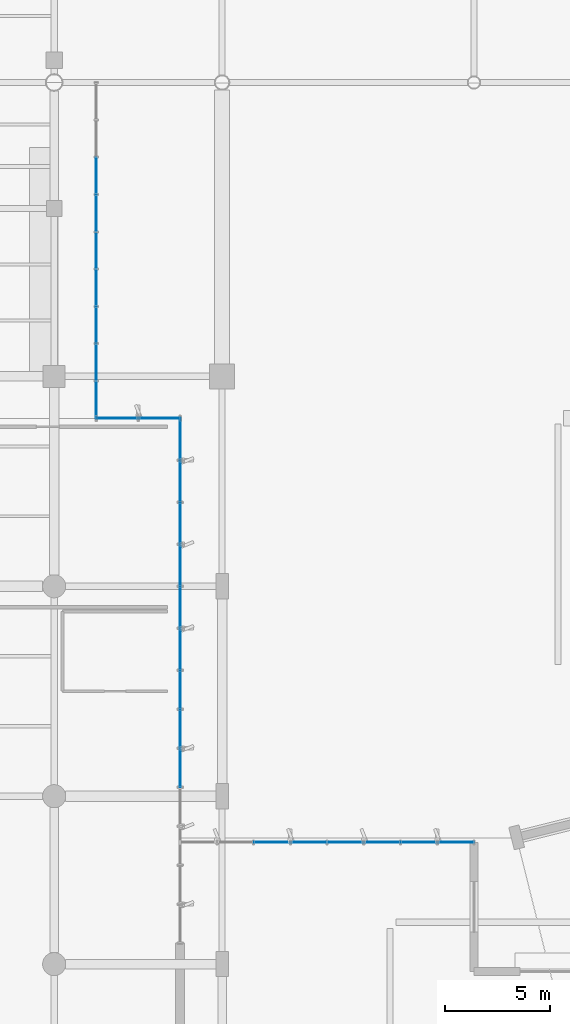
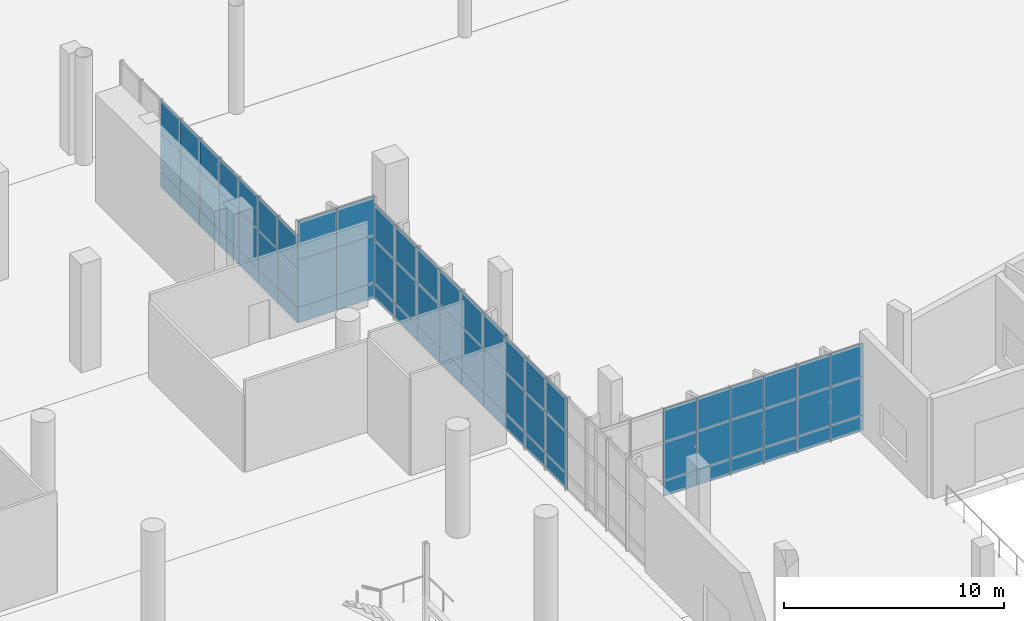
# One storey, part 119 of 163: 72 plates, 5 elements without a shape of their own.
"""IFC4 building model written with IfcOpenShell, lengths in metres."""

from ifc_helpers import new_model, si_unit, direction, frame, origin, origin_2d, place, context, subcontext, project, spatial, rectangle, extrude, material, layer, layer_set, type_object, element, aggregate, save


model = new_model("IFC4")

# Units and contexts
model_context = context("Model", 3, precision=1e-05, world=origin(), true_north=direction((0.0, 1.0)))
body_context = subcontext(model_context, "Body", "Model", "MODEL_VIEW")
ifc_project = project(units=[si_unit("LENGTHUNIT", "METRE"), si_unit("AREAUNIT", "SQUARE_METRE"), si_unit("VOLUMEUNIT", "CUBIC_METRE"), si_unit("PLANEANGLEUNIT", "RADIAN"), si_unit("MASSUNIT", "GRAM", prefix="KILO")], contexts=[model_context])

# Site, building, storey
site_placement = place(None, origin())
site = spatial("IfcSite", under=ifc_project, at=site_placement, CompositionType="ELEMENT")
building_placement = place(site_placement, origin())
building = spatial("IfcBuilding", under=site, at=building_placement, Name="Khorjan Park Terminus", CompositionType="ELEMENT")
storey_placement = place(building_placement, origin())
storey = spatial("IfcBuildingStorey", under=building, at=storey_placement, Name="L00", CompositionType="ELEMENT", Elevation=0.0)

# Curtain wall, plates
ifc_material_1 = material(Name="Anodized Bronze Aluminium", Category="aluminium")
ifc_layer_1 = layer(ifc_material_1, 0.22)
ifc_layer_set_1 = layer_set([ifc_layer_1], Name="Anodized Bronze Aluminium")
curtain_wall_type_1 = type_object("IfcCurtainWallType", Name="CW-BRG-D", PredefinedType="NOTDEFINED", material=ifc_layer_set_1)
curtain_wall_1_placement = place(storey_placement, origin())
curtain_wall_1 = element("IfcCurtainWall", 1, at=curtain_wall_1_placement, inside=storey, type_object=curtain_wall_type_1, Name="Unitized curtain wall CW-D (CW-NKE-E-L00)", PredefinedType="NOTDEFINED")
ifc_material_2 = material(Name="Low-E Solar Control Double Glazing", Category="glass")
ifc_layer_2 = layer(ifc_material_2, 0.032)
ifc_layer_set_2 = layer_set([ifc_layer_2], Name="Low-E Solar Control Double Glazing")
plate_type_1 = type_object("IfcPlateType", Name="GL-VIS-32", PredefinedType="CURTAIN_PANEL", material=ifc_layer_set_2)
plate_1_placement = place(storey_placement, frame((130.0, 86.8889, 0.8499), z_axis=(0.0, 0.0, 1.0), x_axis=(0.0, 1.0, 0.0)))
plate_1 = element("IfcPlate", 2, at=plate_1_placement, type_object=plate_type_1, Name="Curtain-wall panel VP-32 (CW-NKE-E-L00-0-2)", PredefinedType="CURTAIN_PANEL", context=body_context, shape_type="SweptSolid", body=[
    extrude(rectangle(XDim=1.7778, YDim=0.032, at=origin_2d()), origin(), (0.0, 0.0, 1.0), 2.1415),
])
plate_2_placement = place(storey_placement, frame((130.0, 86.8889, 2.9914), z_axis=(0.0, 0.0, 1.0), x_axis=(0.0, 1.0, 0.0)))
plate_2 = element("IfcPlate", 3, at=plate_2_placement, type_object=plate_type_1, Name="Curtain-wall panel VP-32 (CW-NKE-E-L00-0-3)", PredefinedType="CURTAIN_PANEL", context=body_context, shape_type="SweptSolid", body=[
    extrude(rectangle(XDim=1.7778, YDim=0.032, at=origin_2d()), origin(), (0.0, 0.0, 1.0), 1.8435),
])
plate_3_placement = place(storey_placement, frame((130.0, 88.6667, 0.8499), z_axis=(0.0, 0.0, 1.0), x_axis=(0.0, 1.0, 0.0)))
plate_3 = element("IfcPlate", 4, at=plate_3_placement, type_object=plate_type_1, Name="Curtain-wall panel VP-32 (CW-NKE-E-L00-1-2)", PredefinedType="CURTAIN_PANEL", context=body_context, shape_type="SweptSolid", body=[
    extrude(rectangle(XDim=1.7778, YDim=0.032, at=origin_2d()), origin(), (0.0, 0.0, 1.0), 2.1415),
])
plate_4_placement = place(storey_placement, frame((130.0, 88.6667, 2.9914), z_axis=(0.0, 0.0, 1.0), x_axis=(0.0, 1.0, 0.0)))
plate_4 = element("IfcPlate", 5, at=plate_4_placement, type_object=plate_type_1, Name="Curtain-wall panel VP-32 (CW-NKE-E-L00-1-3)", PredefinedType="CURTAIN_PANEL", context=body_context, shape_type="SweptSolid", body=[
    extrude(rectangle(XDim=1.7778, YDim=0.032, at=origin_2d()), origin(), (0.0, 0.0, 1.0), 1.8435),
])
plate_5_placement = place(storey_placement, frame((130.0, 90.4444, 0.8499), z_axis=(0.0, 0.0, 1.0), x_axis=(0.0, 1.0, 0.0)))
plate_5 = element("IfcPlate", 6, at=plate_5_placement, type_object=plate_type_1, Name="Curtain-wall panel VP-32 (CW-NKE-E-L00-2-2)", PredefinedType="CURTAIN_PANEL", context=body_context, shape_type="SweptSolid", body=[
    extrude(rectangle(XDim=1.7778, YDim=0.032, at=origin_2d()), origin(), (0.0, 0.0, 1.0), 2.1415),
])
plate_6_placement = place(storey_placement, frame((130.0, 90.4444, 2.9914), z_axis=(0.0, 0.0, 1.0), x_axis=(0.0, 1.0, 0.0)))
plate_6 = element("IfcPlate", 7, at=plate_6_placement, type_object=plate_type_1, Name="Curtain-wall panel VP-32 (CW-NKE-E-L00-2-3)", PredefinedType="CURTAIN_PANEL", context=body_context, shape_type="SweptSolid", body=[
    extrude(rectangle(XDim=1.7778, YDim=0.032, at=origin_2d()), origin(), (0.0, 0.0, 1.0), 1.8435),
])
plate_7_placement = place(storey_placement, frame((130.0, 92.2222, 0.8499), z_axis=(0.0, 0.0, 1.0), x_axis=(0.0, 1.0, 0.0)))
plate_7 = element("IfcPlate", 8, at=plate_7_placement, type_object=plate_type_1, Name="Curtain-wall panel VP-32 (CW-NKE-E-L00-3-2)", PredefinedType="CURTAIN_PANEL", context=body_context, shape_type="SweptSolid", body=[
    extrude(rectangle(XDim=1.7778, YDim=0.032, at=origin_2d()), origin(), (0.0, 0.0, 1.0), 2.1415),
])
plate_8_placement = place(storey_placement, frame((130.0, 92.2222, 2.9914), z_axis=(0.0, 0.0, 1.0), x_axis=(0.0, 1.0, 0.0)))
plate_8 = element("IfcPlate", 9, at=plate_8_placement, type_object=plate_type_1, Name="Curtain-wall panel VP-32 (CW-NKE-E-L00-3-3)", PredefinedType="CURTAIN_PANEL", context=body_context, shape_type="SweptSolid", body=[
    extrude(rectangle(XDim=1.7778, YDim=0.032, at=origin_2d()), origin(), (0.0, 0.0, 1.0), 1.8435),
])
plate_9_placement = place(storey_placement, frame((130.0, 94.0, 0.8499), z_axis=(0.0, 0.0, 1.0), x_axis=(0.0, 1.0, 0.0)))
plate_9 = element("IfcPlate", 10, at=plate_9_placement, type_object=plate_type_1, Name="Curtain-wall panel VP-32 (CW-NKE-E-L00-4-2)", PredefinedType="CURTAIN_PANEL", context=body_context, shape_type="SweptSolid", body=[
    extrude(rectangle(XDim=1.7778, YDim=0.032, at=origin_2d()), origin(), (0.0, 0.0, 1.0), 2.1415),
])
plate_10_placement = place(storey_placement, frame((130.0, 94.0, 2.9914), z_axis=(0.0, 0.0, 1.0), x_axis=(0.0, 1.0, 0.0)))
plate_10 = element("IfcPlate", 11, at=plate_10_placement, type_object=plate_type_1, Name="Curtain-wall panel VP-32 (CW-NKE-E-L00-4-3)", PredefinedType="CURTAIN_PANEL", context=body_context, shape_type="SweptSolid", body=[
    extrude(rectangle(XDim=1.7778, YDim=0.032, at=origin_2d()), origin(), (0.0, 0.0, 1.0), 1.8435),
])
plate_11_placement = place(storey_placement, frame((130.0, 95.7778, 0.8499), z_axis=(0.0, 0.0, 1.0), x_axis=(0.0, 1.0, 0.0)))
plate_11 = element("IfcPlate", 12, at=plate_11_placement, type_object=plate_type_1, Name="Curtain-wall panel VP-32 (CW-NKE-E-L00-5-2)", PredefinedType="CURTAIN_PANEL", context=body_context, shape_type="SweptSolid", body=[
    extrude(rectangle(XDim=1.7778, YDim=0.032, at=origin_2d()), origin(), (0.0, 0.0, 1.0), 2.1415),
])
plate_12_placement = place(storey_placement, frame((130.0, 95.7778, 2.9914), z_axis=(0.0, 0.0, 1.0), x_axis=(0.0, 1.0, 0.0)))
plate_12 = element("IfcPlate", 13, at=plate_12_placement, type_object=plate_type_1, Name="Curtain-wall panel VP-32 (CW-NKE-E-L00-5-3)", PredefinedType="CURTAIN_PANEL", context=body_context, shape_type="SweptSolid", body=[
    extrude(rectangle(XDim=1.7778, YDim=0.032, at=origin_2d()), origin(), (0.0, 0.0, 1.0), 1.8435),
])
plate_13_placement = place(storey_placement, frame((130.0, 97.5556, 0.8499), z_axis=(0.0, 0.0, 1.0), x_axis=(0.0, 1.0, 0.0)))
plate_13 = element("IfcPlate", 14, at=plate_13_placement, type_object=plate_type_1, Name="Curtain-wall panel VP-32 (CW-NKE-E-L00-6-2)", PredefinedType="CURTAIN_PANEL", context=body_context, shape_type="SweptSolid", body=[
    extrude(rectangle(XDim=1.7778, YDim=0.032, at=origin_2d()), origin(), (0.0, 0.0, 1.0), 2.1415),
])
plate_14_placement = place(storey_placement, frame((130.0, 97.5556, 2.9914), z_axis=(0.0, 0.0, 1.0), x_axis=(0.0, 1.0, 0.0)))
plate_14 = element("IfcPlate", 15, at=plate_14_placement, type_object=plate_type_1, Name="Curtain-wall panel VP-32 (CW-NKE-E-L00-6-3)", PredefinedType="CURTAIN_PANEL", context=body_context, shape_type="SweptSolid", body=[
    extrude(rectangle(XDim=1.7778, YDim=0.032, at=origin_2d()), origin(), (0.0, 0.0, 1.0), 1.8435),
])

ifc_layer_3 = layer(ifc_material_1, 0.22)
ifc_layer_set_3 = layer_set([ifc_layer_3], Name="Anodized Bronze Aluminium")
curtain_wall_type_2 = type_object("IfcCurtainWallType", Name="CW-OPS-B", PredefinedType="NOTDEFINED", material=ifc_layer_set_3)
curtain_wall_2_placement = place(storey_placement, origin())
curtain_wall_2 = element("IfcCurtainWall", 16, at=curtain_wall_2_placement, inside=storey, type_object=curtain_wall_type_2, Name="Unitized curtain wall CW-B (CW-V5L-N-L00-1)", PredefinedType="NOTDEFINED")
ifc_material_3 = material(Name="Acoustic Laminated Solar Glazing", Category="glass")
ifc_layer_4 = layer(ifc_material_3, 0.036)
ifc_layer_set_4 = layer_set([ifc_layer_4], Name="Acoustic Laminated Solar Glazing")
plate_type_2 = type_object("IfcPlateType", Name="GL-VIS-36", PredefinedType="CURTAIN_PANEL", material=ifc_layer_set_4)
plate_15_placement = place(storey_placement, frame((147.125, 65.8, 0.8499), z_axis=(0.0, 0.0, 1.0), x_axis=(-1.0, 0.0, 0.0)))
plate_15 = element("IfcPlate", 17, at=plate_15_placement, type_object=plate_type_2, Name="Curtain-wall panel VP-36 (CW-V5L-N-L00-1-0-2)", PredefinedType="CURTAIN_PANEL", context=body_context, shape_type="SweptSolid", body=[
    extrude(rectangle(XDim=1.75, YDim=0.036, at=origin_2d()), origin(), (0.0, 0.0, 1.0), 2.1415),
])
plate_16_placement = place(storey_placement, frame((147.125, 65.8, 2.9914), z_axis=(0.0, 0.0, 1.0), x_axis=(-1.0, 0.0, 0.0)))
plate_16 = element("IfcPlate", 18, at=plate_16_placement, type_object=plate_type_2, Name="Curtain-wall panel VP-36 (CW-V5L-N-L00-1-0-3)", PredefinedType="CURTAIN_PANEL", context=body_context, shape_type="SweptSolid", body=[
    extrude(rectangle(XDim=1.75, YDim=0.036, at=origin_2d()), origin(), (0.0, 0.0, 1.0), 1.8435),
])
plate_17_placement = place(storey_placement, frame((145.375, 65.8, 0.8499), z_axis=(0.0, 0.0, 1.0), x_axis=(-1.0, 0.0, 0.0)))
plate_17 = element("IfcPlate", 19, at=plate_17_placement, type_object=plate_type_2, Name="Curtain-wall panel VP-36 (CW-V5L-N-L00-1-1-2)", PredefinedType="CURTAIN_PANEL", context=body_context, shape_type="SweptSolid", body=[
    extrude(rectangle(XDim=1.75, YDim=0.036, at=origin_2d()), origin(), (0.0, 0.0, 1.0), 2.1415),
])
plate_18_placement = place(storey_placement, frame((145.375, 65.8, 2.9914), z_axis=(0.0, 0.0, 1.0), x_axis=(-1.0, 0.0, 0.0)))
plate_18 = element("IfcPlate", 20, at=plate_18_placement, type_object=plate_type_2, Name="Curtain-wall panel VP-36 (CW-V5L-N-L00-1-1-3)", PredefinedType="CURTAIN_PANEL", context=body_context, shape_type="SweptSolid", body=[
    extrude(rectangle(XDim=1.75, YDim=0.036, at=origin_2d()), origin(), (0.0, 0.0, 1.0), 1.8435),
])
plate_19_placement = place(storey_placement, frame((143.625, 65.8, 0.8499), z_axis=(0.0, 0.0, 1.0), x_axis=(-1.0, 0.0, 0.0)))
plate_19 = element("IfcPlate", 21, at=plate_19_placement, type_object=plate_type_2, Name="Curtain-wall panel VP-36 (CW-V5L-N-L00-1-2-2)", PredefinedType="CURTAIN_PANEL", context=body_context, shape_type="SweptSolid", body=[
    extrude(rectangle(XDim=1.75, YDim=0.036, at=origin_2d()), origin(), (0.0, 0.0, 1.0), 2.1415),
])
plate_20_placement = place(storey_placement, frame((143.625, 65.8, 2.9914), z_axis=(0.0, 0.0, 1.0), x_axis=(-1.0, 0.0, 0.0)))
plate_20 = element("IfcPlate", 22, at=plate_20_placement, type_object=plate_type_2, Name="Curtain-wall panel VP-36 (CW-V5L-N-L00-1-2-3)", PredefinedType="CURTAIN_PANEL", context=body_context, shape_type="SweptSolid", body=[
    extrude(rectangle(XDim=1.75, YDim=0.036, at=origin_2d()), origin(), (0.0, 0.0, 1.0), 1.8435),
])
plate_21_placement = place(storey_placement, frame((141.875, 65.8, 0.8499), z_axis=(0.0, 0.0, 1.0), x_axis=(-1.0, 0.0, 0.0)))
plate_21 = element("IfcPlate", 23, at=plate_21_placement, type_object=plate_type_2, Name="Curtain-wall panel VP-36 (CW-V5L-N-L00-1-3-2)", PredefinedType="CURTAIN_PANEL", context=body_context, shape_type="SweptSolid", body=[
    extrude(rectangle(XDim=1.75, YDim=0.036, at=origin_2d()), origin(), (0.0, 0.0, 1.0), 2.1415),
])
plate_22_placement = place(storey_placement, frame((141.875, 65.8, 2.9914), z_axis=(0.0, 0.0, 1.0), x_axis=(-1.0, 0.0, 0.0)))
plate_22 = element("IfcPlate", 24, at=plate_22_placement, type_object=plate_type_2, Name="Curtain-wall panel VP-36 (CW-V5L-N-L00-1-3-3)", PredefinedType="CURTAIN_PANEL", context=body_context, shape_type="SweptSolid", body=[
    extrude(rectangle(XDim=1.75, YDim=0.036, at=origin_2d()), origin(), (0.0, 0.0, 1.0), 1.8435),
])
plate_23_placement = place(storey_placement, frame((140.125, 65.8, 0.8499), z_axis=(0.0, 0.0, 1.0), x_axis=(-1.0, 0.0, 0.0)))
plate_23 = element("IfcPlate", 25, at=plate_23_placement, type_object=plate_type_2, Name="Curtain-wall panel VP-36 (CW-V5L-N-L00-1-4-2)", PredefinedType="CURTAIN_PANEL", context=body_context, shape_type="SweptSolid", body=[
    extrude(rectangle(XDim=1.75, YDim=0.036, at=origin_2d()), origin(), (0.0, 0.0, 1.0), 2.1415),
])
plate_24_placement = place(storey_placement, frame((140.125, 65.8, 2.9914), z_axis=(0.0, 0.0, 1.0), x_axis=(-1.0, 0.0, 0.0)))
plate_24 = element("IfcPlate", 26, at=plate_24_placement, type_object=plate_type_2, Name="Curtain-wall panel VP-36 (CW-V5L-N-L00-1-4-3)", PredefinedType="CURTAIN_PANEL", context=body_context, shape_type="SweptSolid", body=[
    extrude(rectangle(XDim=1.75, YDim=0.036, at=origin_2d()), origin(), (0.0, 0.0, 1.0), 1.8435),
])
plate_25_placement = place(storey_placement, frame((138.375, 65.8, 0.8499), z_axis=(0.0, 0.0, 1.0), x_axis=(-1.0, 0.0, 0.0)))
plate_25 = element("IfcPlate", 27, at=plate_25_placement, type_object=plate_type_2, Name="Curtain-wall panel VP-36 (CW-V5L-N-L00-1-5-2)", PredefinedType="CURTAIN_PANEL", context=body_context, shape_type="SweptSolid", body=[
    extrude(rectangle(XDim=1.75, YDim=0.036, at=origin_2d()), origin(), (0.0, 0.0, 1.0), 2.1415),
])
plate_26_placement = place(storey_placement, frame((138.375, 65.8, 2.9914), z_axis=(0.0, 0.0, 1.0), x_axis=(-1.0, 0.0, 0.0)))
plate_26 = element("IfcPlate", 28, at=plate_26_placement, type_object=plate_type_2, Name="Curtain-wall panel VP-36 (CW-V5L-N-L00-1-5-3)", PredefinedType="CURTAIN_PANEL", context=body_context, shape_type="SweptSolid", body=[
    extrude(rectangle(XDim=1.75, YDim=0.036, at=origin_2d()), origin(), (0.0, 0.0, 1.0), 1.8435),
])

ifc_layer_5 = layer(ifc_material_1, 0.22)
ifc_layer_set_5 = layer_set([ifc_layer_5], Name="Anodized Bronze Aluminium")
curtain_wall_type_3 = type_object("IfcCurtainWallType", Name="CW-CONC-A", PredefinedType="NOTDEFINED", material=ifc_layer_set_5)
curtain_wall_3_placement = place(storey_placement, origin())
curtain_wall_3 = element("IfcCurtainWall", 29, at=curtain_wall_3_placement, inside=storey, type_object=curtain_wall_type_3, Name="Unitized curtain wall CW-A (CW-V2-N-L00-08)", PredefinedType="NOTDEFINED")
ifc_material_4 = material(Name="Triple Low-E High-Selectivity Glazing", Category="glass")
ifc_layer_6 = layer(ifc_material_4, 0.04)
ifc_layer_set_6 = layer_set([ifc_layer_6], Name="Triple Low-E High-Selectivity Glazing")
plate_type_3 = type_object("IfcPlateType", Name="GL-VIS-40", PredefinedType="CURTAIN_PANEL", material=ifc_layer_set_6)
plate_27_placement = place(storey_placement, frame((133.0, 86.0, 0.85), z_axis=(0.0, 0.0, 1.0), x_axis=(-1.0, 0.0, 0.0)))
plate_27 = element("IfcPlate", 30, at=plate_27_placement, type_object=plate_type_3, Name="Curtain-wall panel VP-40 (CW-V2-N-L00-08-0-2)", PredefinedType="CURTAIN_PANEL", context=body_context, shape_type="SweptSolid", body=[
    extrude(rectangle(XDim=2.0, YDim=0.04, at=origin_2d()), origin(), (0.0, 0.0, 1.0), 2.6344),
])
plate_28_placement = place(storey_placement, frame((133.0, 86.0, 3.4844), z_axis=(0.0, 0.0, 1.0), x_axis=(-1.0, 0.0, 0.0)))
plate_28 = element("IfcPlate", 31, at=plate_28_placement, type_object=plate_type_3, Name="Curtain-wall panel VP-40 (CW-V2-N-L00-08-0-3)", PredefinedType="CURTAIN_PANEL", context=body_context, shape_type="SweptSolid", body=[
    extrude(rectangle(XDim=2.0, YDim=0.04, at=origin_2d()), origin(), (0.0, 0.0, 1.0), 2.1456),
])
plate_29_placement = place(storey_placement, frame((131.0, 86.0, 0.85), z_axis=(0.0, 0.0, 1.0), x_axis=(-1.0, 0.0, 0.0)))
plate_29 = element("IfcPlate", 32, at=plate_29_placement, type_object=plate_type_3, Name="Curtain-wall panel VP-40 (CW-V2-N-L00-08-1-2)", PredefinedType="CURTAIN_PANEL", context=body_context, shape_type="SweptSolid", body=[
    extrude(rectangle(XDim=2.0, YDim=0.04, at=origin_2d()), origin(), (0.0, 0.0, 1.0), 2.6344),
])
plate_30_placement = place(storey_placement, frame((131.0, 86.0, 3.4844), z_axis=(0.0, 0.0, 1.0), x_axis=(-1.0, 0.0, 0.0)))
plate_30 = element("IfcPlate", 33, at=plate_30_placement, type_object=plate_type_3, Name="Curtain-wall panel VP-40 (CW-V2-N-L00-08-1-3)", PredefinedType="CURTAIN_PANEL", context=body_context, shape_type="SweptSolid", body=[
    extrude(rectangle(XDim=2.0, YDim=0.04, at=origin_2d()), origin(), (0.0, 0.0, 1.0), 2.1456),
])

curtain_wall_4_placement = place(storey_placement, origin())
curtain_wall_4 = element("IfcCurtainWall", 34, at=curtain_wall_4_placement, inside=storey, type_object=curtain_wall_type_3, Name="Unitized curtain wall CW-A (CW-V2-E-L00-03)", PredefinedType="NOTDEFINED")
plate_31_placement = place(storey_placement, frame((134.0, 69.3572, 0.85), z_axis=(0.0, 0.0, 1.0), x_axis=(0.0, 1.0, 0.0)))
plate_31 = element("IfcPlate", 35, at=plate_31_placement, type_object=plate_type_3, Name="Curtain-wall panel VP-40 (CW-V2-E-L00-03-4-2)", PredefinedType="CURTAIN_PANEL", context=body_context, shape_type="SweptSolid", body=[
    extrude(rectangle(XDim=1.8571, YDim=0.04, at=origin_2d()), origin(), (0.0, 0.0, 1.0), 2.2903),
])
plate_32_placement = place(storey_placement, frame((134.0, 69.3572, 3.1402), z_axis=(0.0, 0.0, 1.0), x_axis=(0.0, 1.0, 0.0)))
plate_32 = element("IfcPlate", 36, at=plate_32_placement, type_object=plate_type_3, Name="Curtain-wall panel VP-40 (CW-V2-E-L00-03-4-3)", PredefinedType="CURTAIN_PANEL", context=body_context, shape_type="SweptSolid", body=[
    extrude(rectangle(XDim=1.8571, YDim=0.04, at=origin_2d()), origin(), (0.0, 0.0, 1.0), 1.9347),
])
plate_33_placement = place(storey_placement, frame((134.0, 71.2143, 0.85), z_axis=(0.0, 0.0, 1.0), x_axis=(0.0, 1.0, 0.0)))
plate_33 = element("IfcPlate", 37, at=plate_33_placement, type_object=plate_type_3, Name="Curtain-wall panel VP-40 (CW-V2-E-L00-03-5-2)", PredefinedType="CURTAIN_PANEL", context=body_context, shape_type="SweptSolid", body=[
    extrude(rectangle(XDim=1.8571, YDim=0.04, at=origin_2d()), origin(), (0.0, 0.0, 1.0), 2.2903),
])
plate_34_placement = place(storey_placement, frame((134.0, 71.2143, 3.1402), z_axis=(0.0, 0.0, 1.0), x_axis=(0.0, 1.0, 0.0)))
plate_34 = element("IfcPlate", 38, at=plate_34_placement, type_object=plate_type_3, Name="Curtain-wall panel VP-40 (CW-V2-E-L00-03-5-3)", PredefinedType="CURTAIN_PANEL", context=body_context, shape_type="SweptSolid", body=[
    extrude(rectangle(XDim=1.8571, YDim=0.04, at=origin_2d()), origin(), (0.0, 0.0, 1.0), 1.9347),
])
plate_35_placement = place(storey_placement, frame((134.0, 73.0714, 0.85), z_axis=(0.0, 0.0, 1.0), x_axis=(0.0, 1.0, 0.0)))
plate_35 = element("IfcPlate", 39, at=plate_35_placement, type_object=plate_type_3, Name="Curtain-wall panel VP-40 (CW-V2-E-L00-03-6-2)", PredefinedType="CURTAIN_PANEL", context=body_context, shape_type="SweptSolid", body=[
    extrude(rectangle(XDim=1.8571, YDim=0.04, at=origin_2d()), origin(), (0.0, 0.0, 1.0), 2.2903),
])
plate_36_placement = place(storey_placement, frame((134.0, 73.0714, 3.1402), z_axis=(0.0, 0.0, 1.0), x_axis=(0.0, 1.0, 0.0)))
plate_36 = element("IfcPlate", 40, at=plate_36_placement, type_object=plate_type_3, Name="Curtain-wall panel VP-40 (CW-V2-E-L00-03-6-3)", PredefinedType="CURTAIN_PANEL", context=body_context, shape_type="SweptSolid", body=[
    extrude(rectangle(XDim=1.8571, YDim=0.04, at=origin_2d()), origin(), (0.0, 0.0, 1.0), 1.9347),
])

curtain_wall_5_placement = place(storey_placement, origin())
curtain_wall_5 = element("IfcCurtainWall", 41, at=curtain_wall_5_placement, inside=storey, type_object=curtain_wall_type_3, Name="Unitized curtain wall CW-A (CW-V2-E-L00-04)", PredefinedType="NOTDEFINED")
plate_37_placement = place(storey_placement, frame((134.0, 75.0, 0.85), z_axis=(0.0, 0.0, 1.0), x_axis=(0.0, 1.0, 0.0)))
plate_37 = element("IfcPlate", 42, at=plate_37_placement, type_object=plate_type_3, Name="Curtain-wall panel VP-40 (CW-V2-E-L00-04-0-2)", PredefinedType="CURTAIN_PANEL", context=body_context, shape_type="SweptSolid", body=[
    extrude(rectangle(XDim=2.0, YDim=0.04, at=origin_2d()), origin(), (0.0, 0.0, 1.0), 2.3895),
])
plate_38_placement = place(storey_placement, frame((134.0, 75.0, 3.2394), z_axis=(0.0, 0.0, 1.0), x_axis=(0.0, 1.0, 0.0)))
plate_38 = element("IfcPlate", 43, at=plate_38_placement, type_object=plate_type_3, Name="Curtain-wall panel VP-40 (CW-V2-E-L00-04-0-3)", PredefinedType="CURTAIN_PANEL", context=body_context, shape_type="SweptSolid", body=[
    extrude(rectangle(XDim=2.0, YDim=0.04, at=origin_2d()), origin(), (0.0, 0.0, 1.0), 1.9955),
])
plate_39_placement = place(storey_placement, frame((134.0, 77.0, 0.85), z_axis=(0.0, 0.0, 1.0), x_axis=(0.0, 1.0, 0.0)))
plate_39 = element("IfcPlate", 44, at=plate_39_placement, type_object=plate_type_3, Name="Curtain-wall panel VP-40 (CW-V2-E-L00-04-1-2)", PredefinedType="CURTAIN_PANEL", context=body_context, shape_type="SweptSolid", body=[
    extrude(rectangle(XDim=2.0, YDim=0.04, at=origin_2d()), origin(), (0.0, 0.0, 1.0), 2.3895),
])
plate_40_placement = place(storey_placement, frame((134.0, 77.0, 3.2394), z_axis=(0.0, 0.0, 1.0), x_axis=(0.0, 1.0, 0.0)))
plate_40 = element("IfcPlate", 45, at=plate_40_placement, type_object=plate_type_3, Name="Curtain-wall panel VP-40 (CW-V2-E-L00-04-1-3)", PredefinedType="CURTAIN_PANEL", context=body_context, shape_type="SweptSolid", body=[
    extrude(rectangle(XDim=2.0, YDim=0.04, at=origin_2d()), origin(), (0.0, 0.0, 1.0), 1.9955),
])
plate_41_placement = place(storey_placement, frame((134.0, 79.0, 0.85), z_axis=(0.0, 0.0, 1.0), x_axis=(0.0, 1.0, 0.0)))
plate_41 = element("IfcPlate", 46, at=plate_41_placement, type_object=plate_type_3, Name="Curtain-wall panel VP-40 (CW-V2-E-L00-04-2-2)", PredefinedType="CURTAIN_PANEL", context=body_context, shape_type="SweptSolid", body=[
    extrude(rectangle(XDim=2.0, YDim=0.04, at=origin_2d()), origin(), (0.0, 0.0, 1.0), 2.3895),
])
plate_42_placement = place(storey_placement, frame((134.0, 79.0, 3.2394), z_axis=(0.0, 0.0, 1.0), x_axis=(0.0, 1.0, 0.0)))
plate_42 = element("IfcPlate", 47, at=plate_42_placement, type_object=plate_type_3, Name="Curtain-wall panel VP-40 (CW-V2-E-L00-04-2-3)", PredefinedType="CURTAIN_PANEL", context=body_context, shape_type="SweptSolid", body=[
    extrude(rectangle(XDim=2.0, YDim=0.04, at=origin_2d()), origin(), (0.0, 0.0, 1.0), 1.9955),
])
plate_43_placement = place(storey_placement, frame((134.0, 81.0, 0.85), z_axis=(0.0, 0.0, 1.0), x_axis=(0.0, 1.0, 0.0)))
plate_43 = element("IfcPlate", 48, at=plate_43_placement, type_object=plate_type_3, Name="Curtain-wall panel VP-40 (CW-V2-E-L00-04-3-2)", PredefinedType="CURTAIN_PANEL", context=body_context, shape_type="SweptSolid", body=[
    extrude(rectangle(XDim=2.0, YDim=0.04, at=origin_2d()), origin(), (0.0, 0.0, 1.0), 2.3895),
])
plate_44_placement = place(storey_placement, frame((134.0, 81.0, 3.2394), z_axis=(0.0, 0.0, 1.0), x_axis=(0.0, 1.0, 0.0)))
plate_44 = element("IfcPlate", 49, at=plate_44_placement, type_object=plate_type_3, Name="Curtain-wall panel VP-40 (CW-V2-E-L00-04-3-3)", PredefinedType="CURTAIN_PANEL", context=body_context, shape_type="SweptSolid", body=[
    extrude(rectangle(XDim=2.0, YDim=0.04, at=origin_2d()), origin(), (0.0, 0.0, 1.0), 1.9955),
])
plate_45_placement = place(storey_placement, frame((134.0, 83.0, 0.85), z_axis=(0.0, 0.0, 1.0), x_axis=(0.0, 1.0, 0.0)))
plate_45 = element("IfcPlate", 50, at=plate_45_placement, type_object=plate_type_3, Name="Curtain-wall panel VP-40 (CW-V2-E-L00-04-4-2)", PredefinedType="CURTAIN_PANEL", context=body_context, shape_type="SweptSolid", body=[
    extrude(rectangle(XDim=2.0, YDim=0.04, at=origin_2d()), origin(), (0.0, 0.0, 1.0), 2.3895),
])
plate_46_placement = place(storey_placement, frame((134.0, 83.0, 3.2394), z_axis=(0.0, 0.0, 1.0), x_axis=(0.0, 1.0, 0.0)))
plate_46 = element("IfcPlate", 51, at=plate_46_placement, type_object=plate_type_3, Name="Curtain-wall panel VP-40 (CW-V2-E-L00-04-4-3)", PredefinedType="CURTAIN_PANEL", context=body_context, shape_type="SweptSolid", body=[
    extrude(rectangle(XDim=2.0, YDim=0.04, at=origin_2d()), origin(), (0.0, 0.0, 1.0), 1.9955),
])
plate_47_placement = place(storey_placement, frame((134.0, 85.0, 0.85), z_axis=(0.0, 0.0, 1.0), x_axis=(0.0, 1.0, 0.0)))
plate_47 = element("IfcPlate", 52, at=plate_47_placement, type_object=plate_type_3, Name="Curtain-wall panel VP-40 (CW-V2-E-L00-04-5-2)", PredefinedType="CURTAIN_PANEL", context=body_context, shape_type="SweptSolid", body=[
    extrude(rectangle(XDim=2.0, YDim=0.04, at=origin_2d()), origin(), (0.0, 0.0, 1.0), 2.3895),
])
plate_48_placement = place(storey_placement, frame((134.0, 85.0, 3.2394), z_axis=(0.0, 0.0, 1.0), x_axis=(0.0, 1.0, 0.0)))
plate_48 = element("IfcPlate", 53, at=plate_48_placement, type_object=plate_type_3, Name="Curtain-wall panel VP-40 (CW-V2-E-L00-04-5-3)", PredefinedType="CURTAIN_PANEL", context=body_context, shape_type="SweptSolid", body=[
    extrude(rectangle(XDim=2.0, YDim=0.04, at=origin_2d()), origin(), (0.0, 0.0, 1.0), 1.9955),
])

# Plate
ifc_material_5 = material(Name="Insulated Anodized Bronze Spandrel Panel")
ifc_layer_7 = layer(ifc_material_5, 0.045)
ifc_layer_set_7 = layer_set([ifc_layer_7], Name="Insulated Anodized Bronze Spandrel Panel")
plate_type_4 = type_object("IfcPlateType", Name="SP-AL-45", PredefinedType="CURTAIN_PANEL", material=ifc_layer_set_7)
plate_49_placement = place(storey_placement, frame((133.0, 86.0, -0.01), z_axis=(0.0, 0.0, 1.0), x_axis=(-1.0, 0.0, 0.0)))
plate_49 = element("IfcPlate", 54, at=plate_49_placement, type_object=plate_type_4, Name="Curtain-wall panel SP-A45 (CW-V2-N-L00-08-0-1)", PredefinedType="CURTAIN_PANEL", context=body_context, shape_type="SweptSolid", body=[
    extrude(rectangle(XDim=2.0, YDim=0.045, at=origin_2d()), origin(), (0.0, 0.0, 1.0), 0.86),
])

plate_50_placement = place(storey_placement, frame((131.0, 86.0, -0.01), z_axis=(0.0, 0.0, 1.0), x_axis=(-1.0, 0.0, 0.0)))
plate_50 = element("IfcPlate", 55, at=plate_50_placement, type_object=plate_type_4, Name="Curtain-wall panel SP-A45 (CW-V2-N-L00-08-1-1)", PredefinedType="CURTAIN_PANEL", context=body_context, shape_type="SweptSolid", body=[
    extrude(rectangle(XDim=2.0, YDim=0.045, at=origin_2d()), origin(), (0.0, 0.0, 1.0), 0.86),
])

aggregate(curtain_wall_3, [plate_49, plate_27, plate_28, plate_50, plate_29, plate_30])

plate_51_placement = place(storey_placement, frame((134.0, 69.3572, -0.01), z_axis=(0.0, 0.0, 1.0), x_axis=(0.0, 1.0, 0.0)))
plate_51 = element("IfcPlate", 56, at=plate_51_placement, type_object=plate_type_4, Name="Curtain-wall panel SP-A45 (CW-V2-E-L00-03-4-1)", PredefinedType="CURTAIN_PANEL", context=body_context, shape_type="SweptSolid", body=[
    extrude(rectangle(XDim=1.8571, YDim=0.045, at=origin_2d()), origin(), (0.0, 0.0, 1.0), 0.86),
])

plate_52_placement = place(storey_placement, frame((134.0, 71.2143, -0.01), z_axis=(0.0, 0.0, 1.0), x_axis=(0.0, 1.0, 0.0)))
plate_52 = element("IfcPlate", 57, at=plate_52_placement, type_object=plate_type_4, Name="Curtain-wall panel SP-A45 (CW-V2-E-L00-03-5-1)", PredefinedType="CURTAIN_PANEL", context=body_context, shape_type="SweptSolid", body=[
    extrude(rectangle(XDim=1.8571, YDim=0.045, at=origin_2d()), origin(), (0.0, 0.0, 1.0), 0.86),
])

plate_53_placement = place(storey_placement, frame((134.0, 73.0714, -0.01), z_axis=(0.0, 0.0, 1.0), x_axis=(0.0, 1.0, 0.0)))
plate_53 = element("IfcPlate", 58, at=plate_53_placement, type_object=plate_type_4, Name="Curtain-wall panel SP-A45 (CW-V2-E-L00-03-6-1)", PredefinedType="CURTAIN_PANEL", context=body_context, shape_type="SweptSolid", body=[
    extrude(rectangle(XDim=1.8571, YDim=0.045, at=origin_2d()), origin(), (0.0, 0.0, 1.0), 0.86),
])

aggregate(curtain_wall_4, [plate_51, plate_31, plate_32, plate_52, plate_33, plate_34, plate_53, plate_35, plate_36])

plate_54_placement = place(storey_placement, frame((134.0, 75.0, -0.01), z_axis=(0.0, 0.0, 1.0), x_axis=(0.0, 1.0, 0.0)))
plate_54 = element("IfcPlate", 59, at=plate_54_placement, type_object=plate_type_4, Name="Curtain-wall panel SP-A45 (CW-V2-E-L00-04-0-1)", PredefinedType="CURTAIN_PANEL", context=body_context, shape_type="SweptSolid", body=[
    extrude(rectangle(XDim=2.0, YDim=0.045, at=origin_2d()), origin(), (0.0, 0.0, 1.0), 0.86),
])

plate_55_placement = place(storey_placement, frame((134.0, 77.0, -0.01), z_axis=(0.0, 0.0, 1.0), x_axis=(0.0, 1.0, 0.0)))
plate_55 = element("IfcPlate", 60, at=plate_55_placement, type_object=plate_type_4, Name="Curtain-wall panel SP-A45 (CW-V2-E-L00-04-1-1)", PredefinedType="CURTAIN_PANEL", context=body_context, shape_type="SweptSolid", body=[
    extrude(rectangle(XDim=2.0, YDim=0.045, at=origin_2d()), origin(), (0.0, 0.0, 1.0), 0.86),
])

plate_56_placement = place(storey_placement, frame((134.0, 79.0, -0.01), z_axis=(0.0, 0.0, 1.0), x_axis=(0.0, 1.0, 0.0)))
plate_56 = element("IfcPlate", 61, at=plate_56_placement, type_object=plate_type_4, Name="Curtain-wall panel SP-A45 (CW-V2-E-L00-04-2-1)", PredefinedType="CURTAIN_PANEL", context=body_context, shape_type="SweptSolid", body=[
    extrude(rectangle(XDim=2.0, YDim=0.045, at=origin_2d()), origin(), (0.0, 0.0, 1.0), 0.86),
])

plate_57_placement = place(storey_placement, frame((134.0, 81.0, -0.01), z_axis=(0.0, 0.0, 1.0), x_axis=(0.0, 1.0, 0.0)))
plate_57 = element("IfcPlate", 62, at=plate_57_placement, type_object=plate_type_4, Name="Curtain-wall panel SP-A45 (CW-V2-E-L00-04-3-1)", PredefinedType="CURTAIN_PANEL", context=body_context, shape_type="SweptSolid", body=[
    extrude(rectangle(XDim=2.0, YDim=0.045, at=origin_2d()), origin(), (0.0, 0.0, 1.0), 0.86),
])

plate_58_placement = place(storey_placement, frame((134.0, 83.0, -0.01), z_axis=(0.0, 0.0, 1.0), x_axis=(0.0, 1.0, 0.0)))
plate_58 = element("IfcPlate", 63, at=plate_58_placement, type_object=plate_type_4, Name="Curtain-wall panel SP-A45 (CW-V2-E-L00-04-4-1)", PredefinedType="CURTAIN_PANEL", context=body_context, shape_type="SweptSolid", body=[
    extrude(rectangle(XDim=2.0, YDim=0.045, at=origin_2d()), origin(), (0.0, 0.0, 1.0), 0.86),
])

plate_59_placement = place(storey_placement, frame((134.0, 85.0, -0.01), z_axis=(0.0, 0.0, 1.0), x_axis=(0.0, 1.0, 0.0)))
plate_59 = element("IfcPlate", 64, at=plate_59_placement, type_object=plate_type_4, Name="Curtain-wall panel SP-A45 (CW-V2-E-L00-04-5-1)", PredefinedType="CURTAIN_PANEL", context=body_context, shape_type="SweptSolid", body=[
    extrude(rectangle(XDim=2.0, YDim=0.045, at=origin_2d()), origin(), (0.0, 0.0, 1.0), 0.86),
])

aggregate(curtain_wall_5, [plate_54, plate_37, plate_38, plate_55, plate_39, plate_40, plate_56, plate_41, plate_42, plate_57, plate_43, plate_44, plate_58, plate_45, plate_46, plate_59, plate_47, plate_48])

plate_60_placement = place(storey_placement, frame((130.0, 86.8889, -0.01), z_axis=(0.0, 0.0, 1.0), x_axis=(0.0, 1.0, 0.0)))
plate_60 = element("IfcPlate", 65, at=plate_60_placement, type_object=plate_type_4, Name="Curtain-wall panel SP-A45 (CW-NKE-E-L00-0-1)", PredefinedType="CURTAIN_PANEL", context=body_context, shape_type="SweptSolid", body=[
    extrude(rectangle(XDim=1.7778, YDim=0.045, at=origin_2d()), origin(), (0.0, 0.0, 1.0), 0.86),
])

plate_61_placement = place(storey_placement, frame((130.0, 88.6667, -0.01), z_axis=(0.0, 0.0, 1.0), x_axis=(0.0, 1.0, 0.0)))
plate_61 = element("IfcPlate", 66, at=plate_61_placement, type_object=plate_type_4, Name="Curtain-wall panel SP-A45 (CW-NKE-E-L00-1-1)", PredefinedType="CURTAIN_PANEL", context=body_context, shape_type="SweptSolid", body=[
    extrude(rectangle(XDim=1.7778, YDim=0.045, at=origin_2d()), origin(), (0.0, 0.0, 1.0), 0.86),
])

plate_62_placement = place(storey_placement, frame((130.0, 90.4444, -0.01), z_axis=(0.0, 0.0, 1.0), x_axis=(0.0, 1.0, 0.0)))
plate_62 = element("IfcPlate", 67, at=plate_62_placement, type_object=plate_type_4, Name="Curtain-wall panel SP-A45 (CW-NKE-E-L00-2-1)", PredefinedType="CURTAIN_PANEL", context=body_context, shape_type="SweptSolid", body=[
    extrude(rectangle(XDim=1.7778, YDim=0.045, at=origin_2d()), origin(), (0.0, 0.0, 1.0), 0.86),
])

plate_63_placement = place(storey_placement, frame((130.0, 92.2222, -0.01), z_axis=(0.0, 0.0, 1.0), x_axis=(0.0, 1.0, 0.0)))
plate_63 = element("IfcPlate", 68, at=plate_63_placement, type_object=plate_type_4, Name="Curtain-wall panel SP-A45 (CW-NKE-E-L00-3-1)", PredefinedType="CURTAIN_PANEL", context=body_context, shape_type="SweptSolid", body=[
    extrude(rectangle(XDim=1.7778, YDim=0.045, at=origin_2d()), origin(), (0.0, 0.0, 1.0), 0.86),
])

plate_64_placement = place(storey_placement, frame((130.0, 94.0, -0.01), z_axis=(0.0, 0.0, 1.0), x_axis=(0.0, 1.0, 0.0)))
plate_64 = element("IfcPlate", 69, at=plate_64_placement, type_object=plate_type_4, Name="Curtain-wall panel SP-A45 (CW-NKE-E-L00-4-1)", PredefinedType="CURTAIN_PANEL", context=body_context, shape_type="SweptSolid", body=[
    extrude(rectangle(XDim=1.7778, YDim=0.045, at=origin_2d()), origin(), (0.0, 0.0, 1.0), 0.86),
])

plate_65_placement = place(storey_placement, frame((130.0, 95.7778, -0.01), z_axis=(0.0, 0.0, 1.0), x_axis=(0.0, 1.0, 0.0)))
plate_65 = element("IfcPlate", 70, at=plate_65_placement, type_object=plate_type_4, Name="Curtain-wall panel SP-A45 (CW-NKE-E-L00-5-1)", PredefinedType="CURTAIN_PANEL", context=body_context, shape_type="SweptSolid", body=[
    extrude(rectangle(XDim=1.7778, YDim=0.045, at=origin_2d()), origin(), (0.0, 0.0, 1.0), 0.86),
])

plate_66_placement = place(storey_placement, frame((130.0, 97.5556, -0.01), z_axis=(0.0, 0.0, 1.0), x_axis=(0.0, 1.0, 0.0)))
plate_66 = element("IfcPlate", 71, at=plate_66_placement, type_object=plate_type_4, Name="Curtain-wall panel SP-A45 (CW-NKE-E-L00-6-1)", PredefinedType="CURTAIN_PANEL", context=body_context, shape_type="SweptSolid", body=[
    extrude(rectangle(XDim=1.7778, YDim=0.045, at=origin_2d()), origin(), (0.0, 0.0, 1.0), 0.86),
])

aggregate(curtain_wall_1, [plate_60, plate_1, plate_2, plate_61, plate_3, plate_4, plate_62, plate_5, plate_6, plate_63, plate_7, plate_8, plate_64, plate_9, plate_10, plate_65, plate_11, plate_12, plate_66, plate_13, plate_14])

plate_67_placement = place(storey_placement, frame((147.125, 65.8, -0.01), z_axis=(0.0, 0.0, 1.0), x_axis=(-1.0, 0.0, 0.0)))
plate_67 = element("IfcPlate", 72, at=plate_67_placement, type_object=plate_type_4, Name="Curtain-wall panel SP-A45 (CW-V5L-N-L00-1-0-1)", PredefinedType="CURTAIN_PANEL", context=body_context, shape_type="SweptSolid", body=[
    extrude(rectangle(XDim=1.75, YDim=0.045, at=origin_2d()), origin(), (0.0, 0.0, 1.0), 0.86),
])

plate_68_placement = place(storey_placement, frame((145.375, 65.8, -0.01), z_axis=(0.0, 0.0, 1.0), x_axis=(-1.0, 0.0, 0.0)))
plate_68 = element("IfcPlate", 73, at=plate_68_placement, type_object=plate_type_4, Name="Curtain-wall panel SP-A45 (CW-V5L-N-L00-1-1-1)", PredefinedType="CURTAIN_PANEL", context=body_context, shape_type="SweptSolid", body=[
    extrude(rectangle(XDim=1.75, YDim=0.045, at=origin_2d()), origin(), (0.0, 0.0, 1.0), 0.86),
])

plate_69_placement = place(storey_placement, frame((143.625, 65.8, -0.01), z_axis=(0.0, 0.0, 1.0), x_axis=(-1.0, 0.0, 0.0)))
plate_69 = element("IfcPlate", 74, at=plate_69_placement, type_object=plate_type_4, Name="Curtain-wall panel SP-A45 (CW-V5L-N-L00-1-2-1)", PredefinedType="CURTAIN_PANEL", context=body_context, shape_type="SweptSolid", body=[
    extrude(rectangle(XDim=1.75, YDim=0.045, at=origin_2d()), origin(), (0.0, 0.0, 1.0), 0.86),
])

plate_70_placement = place(storey_placement, frame((141.875, 65.8, -0.01), z_axis=(0.0, 0.0, 1.0), x_axis=(-1.0, 0.0, 0.0)))
plate_70 = element("IfcPlate", 75, at=plate_70_placement, type_object=plate_type_4, Name="Curtain-wall panel SP-A45 (CW-V5L-N-L00-1-3-1)", PredefinedType="CURTAIN_PANEL", context=body_context, shape_type="SweptSolid", body=[
    extrude(rectangle(XDim=1.75, YDim=0.045, at=origin_2d()), origin(), (0.0, 0.0, 1.0), 0.86),
])

plate_71_placement = place(storey_placement, frame((140.125, 65.8, -0.01), z_axis=(0.0, 0.0, 1.0), x_axis=(-1.0, 0.0, 0.0)))
plate_71 = element("IfcPlate", 76, at=plate_71_placement, type_object=plate_type_4, Name="Curtain-wall panel SP-A45 (CW-V5L-N-L00-1-4-1)", PredefinedType="CURTAIN_PANEL", context=body_context, shape_type="SweptSolid", body=[
    extrude(rectangle(XDim=1.75, YDim=0.045, at=origin_2d()), origin(), (0.0, 0.0, 1.0), 0.86),
])

plate_72_placement = place(storey_placement, frame((138.375, 65.8, -0.01), z_axis=(0.0, 0.0, 1.0), x_axis=(-1.0, 0.0, 0.0)))
plate_72 = element("IfcPlate", 77, at=plate_72_placement, type_object=plate_type_4, Name="Curtain-wall panel SP-A45 (CW-V5L-N-L00-1-5-1)", PredefinedType="CURTAIN_PANEL", context=body_context, shape_type="SweptSolid", body=[
    extrude(rectangle(XDim=1.75, YDim=0.045, at=origin_2d()), origin(), (0.0, 0.0, 1.0), 0.86),
])

aggregate(curtain_wall_2, [plate_67, plate_15, plate_16, plate_68, plate_17, plate_18, plate_69, plate_19, plate_20, plate_70, plate_21, plate_22, plate_71, plate_23, plate_24, plate_72, plate_25, plate_26])

save(model, "model.ifc")
